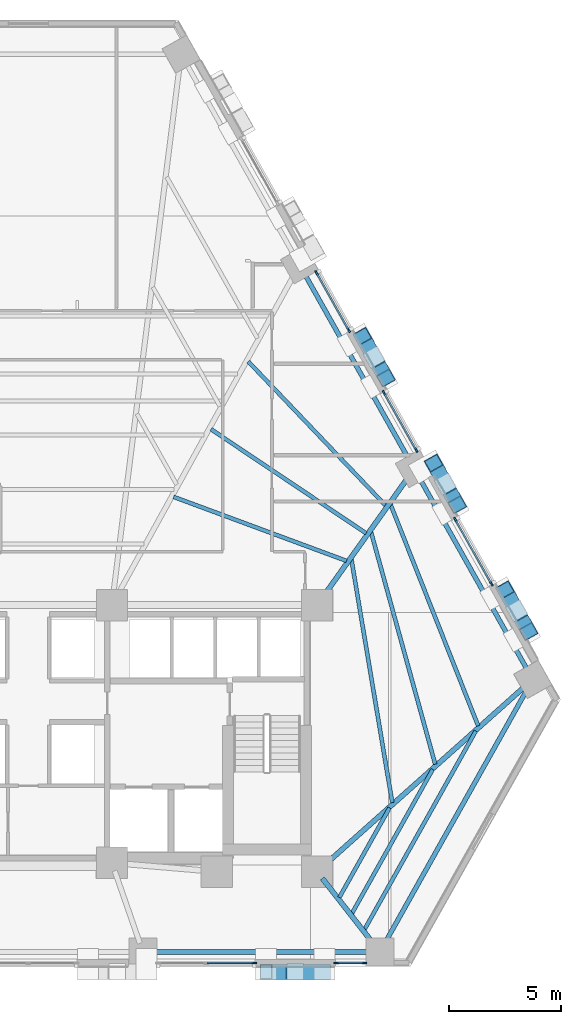
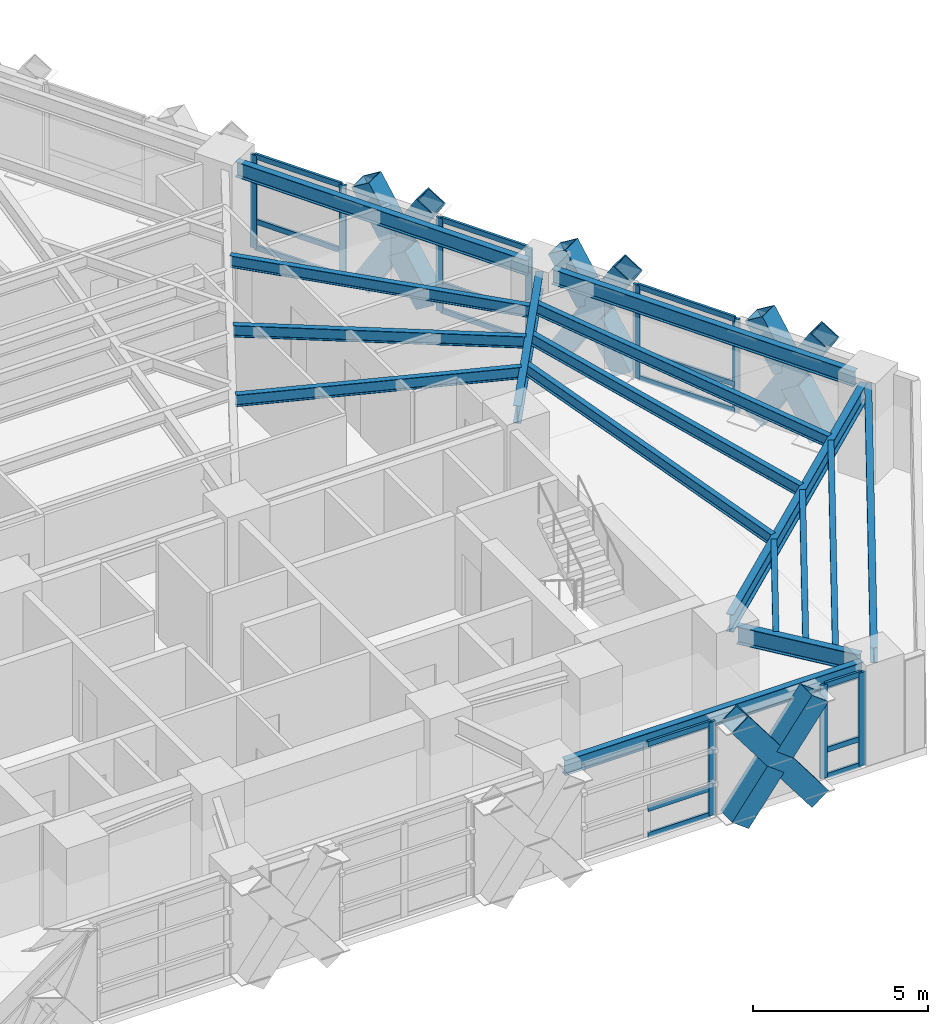
# One storey, part 4 of 13: 36 members, 16 beams, 5 elements without a shape of their own.
"""IFC4 building model written with IfcOpenShell, lengths in metres."""

from ifc_helpers import new_model, si_unit, direction, frame, origin, origin_2d, place, context, subcontext, project, spatial, rectangle, hollow_rectangle, i_section, extrude, material, material_profile, profile_set, type_object, element, aggregate, save


model = new_model("IFC4")

# Units and contexts
model_context = context("Model", 3, precision=1e-05, world=origin(), true_north=direction((0.0, 1.0)))
body_context = subcontext(model_context, "Body", "Model", "MODEL_VIEW")
ifc_project = project(units=[si_unit("LENGTHUNIT", "METRE"), si_unit("AREAUNIT", "SQUARE_METRE"), si_unit("VOLUMEUNIT", "CUBIC_METRE"), si_unit("PLANEANGLEUNIT", "RADIAN"), si_unit("MASSUNIT", "GRAM", prefix="KILO")], contexts=[model_context])

# Site, building, storey
site_placement = place(None, origin())
site = spatial("IfcSite", under=ifc_project, at=site_placement, CompositionType="ELEMENT")
building_placement = place(site_placement, origin())
building = spatial("IfcBuilding", under=site, at=building_placement, Name="Quenlor Broadcast Tower", CompositionType="ELEMENT")
storey_placement = place(building_placement, frame((0.0, 0.0, 31.10009765625)))
storey = spatial("IfcBuildingStorey", under=building, at=storey_placement, Name="L07", CompositionType="ELEMENT", Elevation=31.10009765625)

# Curtain wall, members
ifc_material_1 = material(Name="Architectural Terracotta and Low-E Glazing", Category="masonry")
curtain_wall_type = type_object("IfcCurtainWallType", Name="Unitised Terracotta Curtain Wall System Z1", PredefinedType="NOTDEFINED", material=ifc_material_1)
curtain_wall_1_placement = place(storey_placement, origin())
curtain_wall_1 = element("IfcCurtainWall", 1, at=curtain_wall_1_placement, inside=storey, type_object=curtain_wall_type, Name="L07 Curtain Wall CW1 (L07-SA-G1)", PredefinedType="NOTDEFINED")
ifc_material_2 = material(Name="Aluminium 6063-T6", Category="aluminium")
ifc_material_profile_1 = material_profile(ifc_material_2, rectangle(XDim=0.080078125, YDim=0.219970703125, at=origin_2d()))
ifc_profile_set_1 = profile_set([ifc_material_profile_1], Name="Aluminium 6063-T6 MULL80x220")
member_type_1 = type_object("IfcMemberType", Name="CW1 Aluminium Mullion MULL_CW1", PredefinedType="MULLION", material=ifc_profile_set_1)
member_1_placement = place(storey_placement, frame((15.0751953125, -20.840087890625, 0.0), z_axis=(0.0, 0.0, 1.0), x_axis=(0.0, -1.0, 0.0)))
member_1 = element("IfcMember", 2, at=member_1_placement, type_object=member_type_1, Name="CW1 mullion 1", PredefinedType="MULLION", context=body_context, shape_type="SweptSolid", body=[
    extrude(rectangle(XDim=0.080078125, YDim=0.219970703125, at=origin_2d()), origin(), (0.0, 0.0, 1.0), 3.25),
])
member_2_placement = place(storey_placement, frame((13.806884765625, -20.840087890625, 0.0), z_axis=(0.0, 0.0, 1.0), x_axis=(0.0, -1.0, 0.0)))
member_2 = element("IfcMember", 3, at=member_2_placement, type_object=member_type_1, Name="CW1 mullion 2", PredefinedType="MULLION", context=body_context, shape_type="SweptSolid", body=[
    extrude(rectangle(XDim=0.080078125, YDim=0.219970703125, at=origin_2d()), origin(), (0.0, 0.0, 1.0), 3.25),
])

# Curtain wall, member
curtain_wall_2_placement = place(storey_placement, origin())
curtain_wall_2 = element("IfcCurtainWall", 4, at=curtain_wall_2_placement, inside=storey, type_object=curtain_wall_type, Name="L07 Curtain Wall CW1 (L07-SA-G2)", PredefinedType="NOTDEFINED")
member_3_placement = place(storey_placement, frame((10.134765625, -20.840087890625, 0.0), z_axis=(0.0, 0.0, 1.0), x_axis=(0.0, -1.0, 0.0)))
member_3 = element("IfcMember", 5, at=member_3_placement, type_object=member_type_1, Name="CW1 mullion 1", PredefinedType="MULLION", context=body_context, shape_type="SweptSolid", body=[
    extrude(rectangle(XDim=0.080078125, YDim=0.219970703125, at=origin_2d()), origin(), (0.0, 0.0, 1.0), 3.25),
])

# Curtain wall, members
curtain_wall_3_placement = place(storey_placement, origin())
curtain_wall_3 = element("IfcCurtainWall", 6, at=curtain_wall_3_placement, inside=storey, type_object=curtain_wall_type, Name="L07 Curtain Wall CW1 (L07-NEC-G1)", PredefinedType="NOTDEFINED")
member_4_placement = place(storey_placement, frame((19.146484375, -0.964599609375, 0.0), z_axis=(0.0, 0.0, 1.0), x_axis=(0.871577906875, 0.49025702672, 0.0)))
member_4 = element("IfcMember", 7, at=member_4_placement, type_object=member_type_1, Name="CW1 mullion 1", PredefinedType="MULLION", context=body_context, shape_type="SweptSolid", body=[
    extrude(rectangle(XDim=0.080078125, YDim=0.219970703125, at=origin_2d()), origin(), (0.0, 0.0, 1.0), 3.25),
])
member_5_placement = place(storey_placement, frame((20.764892578125, -3.841552734375, 0.0), z_axis=(0.0, 0.0, 1.0), x_axis=(0.871577906875, 0.49025702672, 0.0)))
member_5 = element("IfcMember", 8, at=member_5_placement, type_object=member_type_1, Name="CW1 mullion 2", PredefinedType="MULLION", context=body_context, shape_type="SweptSolid", body=[
    extrude(rectangle(XDim=0.080078125, YDim=0.219970703125, at=origin_2d()), origin(), (0.0, 0.0, 1.0), 3.25),
])

curtain_wall_4_placement = place(storey_placement, origin())
curtain_wall_4 = element("IfcCurtainWall", 9, at=curtain_wall_4_placement, inside=storey, type_object=curtain_wall_type, Name="L07 Curtain Wall CW1 (L07-NE-G1)", PredefinedType="NOTDEFINED")
member_6_placement = place(storey_placement, frame((12.926025390625, 10.09423828125, 0.0), z_axis=(0.0, 0.0, 1.0), x_axis=(0.871568481465, 0.490273782815, 0.0)))
member_6 = element("IfcMember", 10, at=member_6_placement, type_object=member_type_1, Name="CW1 mullion 1", PredefinedType="MULLION", context=body_context, shape_type="SweptSolid", body=[
    extrude(rectangle(XDim=0.080078125, YDim=0.219970703125, at=origin_2d()), origin(), (0.0, 0.0, 1.0), 3.25),
])
member_7_placement = place(storey_placement, frame((14.371337890625, 7.524658203125, 0.0), z_axis=(0.0, 0.0, 1.0), x_axis=(0.871568481465, 0.490273782815, 0.0)))
member_7 = element("IfcMember", 11, at=member_7_placement, type_object=member_type_1, Name="CW1 mullion 2", PredefinedType="MULLION", context=body_context, shape_type="SweptSolid", body=[
    extrude(rectangle(XDim=0.080078125, YDim=0.219970703125, at=origin_2d()), origin(), (0.0, 0.0, 1.0), 3.25),
])

curtain_wall_5_placement = place(storey_placement, origin())
curtain_wall_5 = element("IfcCurtainWall", 12, at=curtain_wall_5_placement, inside=storey, type_object=curtain_wall_type, Name="L07 Curtain Wall CW1 (L07-NE-G2)", PredefinedType="NOTDEFINED")
member_8_placement = place(storey_placement, frame((15.94970703125, 4.718505859375, 0.0), z_axis=(0.0, 0.0, 1.0), x_axis=(0.871568481465, 0.490273782815, 0.0)))
member_8 = element("IfcMember", 13, at=member_8_placement, type_object=member_type_1, Name="CW1 mullion 1", PredefinedType="MULLION", context=body_context, shape_type="SweptSolid", body=[
    extrude(rectangle(XDim=0.080078125, YDim=0.219970703125, at=origin_2d()), origin(), (0.0, 0.0, 1.0), 3.25),
])
member_9_placement = place(storey_placement, frame((17.39501953125, 2.149169921875, 0.0), z_axis=(0.0, 0.0, 1.0), x_axis=(0.871568481465, 0.490273782815, 0.0)))
member_9 = element("IfcMember", 14, at=member_9_placement, type_object=member_type_1, Name="CW1 mullion 2", PredefinedType="MULLION", context=body_context, shape_type="SweptSolid", body=[
    extrude(rectangle(XDim=0.080078125, YDim=0.219970703125, at=origin_2d()), origin(), (0.0, 0.0, 1.0), 3.25),
])

# Member
ifc_material_3 = material(Name="Aluminium 6063-T6", Category="aluminium")
ifc_material_profile_2 = material_profile(ifc_material_3, rectangle(XDim=0.080078125, YDim=0.179931640625, at=origin_2d()))
ifc_profile_set_2 = profile_set([ifc_material_profile_2], Name="Aluminium 6063-T6 TRAN80x180")
member_type_2 = type_object("IfcMemberType", Name="CW1 Aluminium Transom TRAN_CW1", PredefinedType="USERDEFINED", material=ifc_profile_set_2)
member_10_placement = place(storey_placement, frame((15.03515625, -20.840087890625, 0.039794921875), z_axis=(-1.0, 0.0, 0.0), x_axis=(0.0, -1.0, 0.0)))
member_10 = element("IfcMember", 15, at=member_10_placement, type_object=member_type_2, Name="CW1 transom 1.1", ObjectType="TRANSOM", PredefinedType="USERDEFINED", context=body_context, shape_type="SweptSolid", body=[
    extrude(rectangle(XDim=0.080078125, YDim=0.179931640625, at=origin_2d()), origin(), (0.0, 0.0, 1.0), 1.1884765625),
])

member_11_placement = place(storey_placement, frame((15.03515625, -20.840087890625, 0.949951171875), z_axis=(-1.0, 0.0, 0.0), x_axis=(0.0, -1.0, 0.0)))
member_11 = element("IfcMember", 16, at=member_11_placement, type_object=member_type_2, Name="CW1 transom 1.2", ObjectType="TRANSOM", PredefinedType="USERDEFINED", context=body_context, shape_type="SweptSolid", body=[
    extrude(rectangle(XDim=0.080078125, YDim=0.179931640625, at=origin_2d()), origin(), (0.0, 0.0, 1.0), 1.1884765625),
])

member_12_placement = place(storey_placement, frame((15.03515625, -20.840087890625, 3.2099609375), z_axis=(-1.0, 0.0, 0.0), x_axis=(0.0, -1.0, 0.0)))
member_12 = element("IfcMember", 17, at=member_12_placement, type_object=member_type_2, Name="CW1 transom 1.3", ObjectType="TRANSOM", PredefinedType="USERDEFINED", context=body_context, shape_type="SweptSolid", body=[
    extrude(rectangle(XDim=0.080078125, YDim=0.179931640625, at=origin_2d()), origin(), (0.0, 0.0, 1.0), 1.1884765625),
])

aggregate(curtain_wall_1, [member_1, member_2, member_10, member_11, member_12])

member_13_placement = place(storey_placement, frame((10.0947265625, -20.840087890625, 0.039794921875), z_axis=(-1.0, 0.0, 0.0), x_axis=(0.0, -1.0, 0.0)))
member_13 = element("IfcMember", 18, at=member_13_placement, type_object=member_type_2, Name="CW1 transom 1.1", ObjectType="TRANSOM", PredefinedType="USERDEFINED", context=body_context, shape_type="SweptSolid", body=[
    extrude(rectangle(XDim=0.080078125, YDim=0.179931640625, at=origin_2d()), origin(), (0.0, 0.0, 1.0), 2.072021484375),
])

member_14_placement = place(storey_placement, frame((10.0947265625, -20.840087890625, 0.949951171875), z_axis=(-1.0, 0.0, 0.0), x_axis=(0.0, -1.0, 0.0)))
member_14 = element("IfcMember", 19, at=member_14_placement, type_object=member_type_2, Name="CW1 transom 1.2", ObjectType="TRANSOM", PredefinedType="USERDEFINED", context=body_context, shape_type="SweptSolid", body=[
    extrude(rectangle(XDim=0.080078125, YDim=0.179931640625, at=origin_2d()), origin(), (0.0, 0.0, 1.0), 2.072021484375),
])

member_15_placement = place(storey_placement, frame((10.0947265625, -20.840087890625, 3.2099609375), z_axis=(-1.0, 0.0, 0.0), x_axis=(0.0, -1.0, 0.0)))
member_15 = element("IfcMember", 20, at=member_15_placement, type_object=member_type_2, Name="CW1 transom 1.3", ObjectType="TRANSOM", PredefinedType="USERDEFINED", context=body_context, shape_type="SweptSolid", body=[
    extrude(rectangle(XDim=0.080078125, YDim=0.179931640625, at=origin_2d()), origin(), (0.0, 0.0, 1.0), 2.072021484375),
])

aggregate(curtain_wall_2, [member_3, member_13, member_14, member_15])

member_16_placement = place(storey_placement, frame((19.166015625, -0.99951171875, 0.039794921875), z_axis=(0.490250443683, -0.871581609758, 0.0), x_axis=(0.871581609758, 0.490250443683, 0.0)))
member_16 = element("IfcMember", 21, at=member_16_placement, type_object=member_type_2, Name="CW1 transom 1.1", ObjectType="TRANSOM", PredefinedType="USERDEFINED", context=body_context, shape_type="SweptSolid", body=[
    extrude(rectangle(XDim=0.080078125, YDim=0.179931640625, at=origin_2d()), origin(), (0.0, 0.0, 1.0), 3.220947265625),
])

member_17_placement = place(storey_placement, frame((19.166015625, -0.99951171875, 0.949951171875), z_axis=(0.490250443683, -0.871581609758, 0.0), x_axis=(0.871581609758, 0.490250443683, 0.0)))
member_17 = element("IfcMember", 22, at=member_17_placement, type_object=member_type_2, Name="CW1 transom 1.2", ObjectType="TRANSOM", PredefinedType="USERDEFINED", context=body_context, shape_type="SweptSolid", body=[
    extrude(rectangle(XDim=0.080078125, YDim=0.179931640625, at=origin_2d()), origin(), (0.0, 0.0, 1.0), 3.220947265625),
])

member_18_placement = place(storey_placement, frame((19.166015625, -0.99951171875, 3.2099609375), z_axis=(0.490250443683, -0.871581609758, 0.0), x_axis=(0.871581609758, 0.490250443683, 0.0)))
member_18 = element("IfcMember", 23, at=member_18_placement, type_object=member_type_2, Name="CW1 transom 1.3", ObjectType="TRANSOM", PredefinedType="USERDEFINED", context=body_context, shape_type="SweptSolid", body=[
    extrude(rectangle(XDim=0.080078125, YDim=0.179931640625, at=origin_2d()), origin(), (0.0, 0.0, 1.0), 3.220947265625),
])

aggregate(curtain_wall_3, [member_4, member_5, member_16, member_17, member_18])

member_19_placement = place(storey_placement, frame((12.945556640625, 10.059326171875, 0.039794921875), z_axis=(0.490232948684, -0.871591450179, 0.0), x_axis=(0.871591450179, 0.490232948684, 0.0)))
member_19 = element("IfcMember", 24, at=member_19_placement, type_object=member_type_2, Name="CW1 transom 1.1", ObjectType="TRANSOM", PredefinedType="USERDEFINED", context=body_context, shape_type="SweptSolid", body=[
    extrude(rectangle(XDim=0.080078125, YDim=0.179931640625, at=origin_2d()), origin(), (0.0, 0.0, 1.0), 2.867919921875),
])

member_20_placement = place(storey_placement, frame((12.945556640625, 10.059326171875, 0.949951171875), z_axis=(0.490232948684, -0.871591450179, 0.0), x_axis=(0.871591450179, 0.490232948684, 0.0)))
member_20 = element("IfcMember", 25, at=member_20_placement, type_object=member_type_2, Name="CW1 transom 1.2", ObjectType="TRANSOM", PredefinedType="USERDEFINED", context=body_context, shape_type="SweptSolid", body=[
    extrude(rectangle(XDim=0.080078125, YDim=0.179931640625, at=origin_2d()), origin(), (0.0, 0.0, 1.0), 2.867919921875),
])

member_21_placement = place(storey_placement, frame((12.945556640625, 10.059326171875, 3.2099609375), z_axis=(0.490232948684, -0.871591450179, 0.0), x_axis=(0.871591450179, 0.490232948684, 0.0)))
member_21 = element("IfcMember", 26, at=member_21_placement, type_object=member_type_2, Name="CW1 transom 1.3", ObjectType="TRANSOM", PredefinedType="USERDEFINED", context=body_context, shape_type="SweptSolid", body=[
    extrude(rectangle(XDim=0.080078125, YDim=0.179931640625, at=origin_2d()), origin(), (0.0, 0.0, 1.0), 2.867919921875),
])

aggregate(curtain_wall_4, [member_6, member_7, member_19, member_20, member_21])

member_22_placement = place(storey_placement, frame((15.96923828125, 4.68359375, 0.039794921875), z_axis=(0.490297611432, -0.871555076988, 0.0), x_axis=(0.871555076988, 0.490297611432, 0.0)))
member_22 = element("IfcMember", 27, at=member_22_placement, type_object=member_type_2, Name="CW1 transom 1.1", ObjectType="TRANSOM", PredefinedType="USERDEFINED", context=body_context, shape_type="SweptSolid", body=[
    extrude(rectangle(XDim=0.080078125, YDim=0.179931640625, at=origin_2d()), origin(), (0.0, 0.0, 1.0), 2.8681640625),
])

member_23_placement = place(storey_placement, frame((15.96923828125, 4.68359375, 0.949951171875), z_axis=(0.490297611432, -0.871555076988, 0.0), x_axis=(0.871555076988, 0.490297611432, 0.0)))
member_23 = element("IfcMember", 28, at=member_23_placement, type_object=member_type_2, Name="CW1 transom 1.2", ObjectType="TRANSOM", PredefinedType="USERDEFINED", context=body_context, shape_type="SweptSolid", body=[
    extrude(rectangle(XDim=0.080078125, YDim=0.179931640625, at=origin_2d()), origin(), (0.0, 0.0, 1.0), 2.8681640625),
])

member_24_placement = place(storey_placement, frame((15.96923828125, 4.68359375, 3.2099609375), z_axis=(0.490297611432, -0.871555076988, 0.0), x_axis=(0.871555076988, 0.490297611432, 0.0)))
member_24 = element("IfcMember", 29, at=member_24_placement, type_object=member_type_2, Name="CW1 transom 1.3", ObjectType="TRANSOM", PredefinedType="USERDEFINED", context=body_context, shape_type="SweptSolid", body=[
    extrude(rectangle(XDim=0.080078125, YDim=0.179931640625, at=origin_2d()), origin(), (0.0, 0.0, 1.0), 2.8681640625),
])

aggregate(curtain_wall_5, [member_8, member_9, member_22, member_23, member_24])

# Members
ifc_material_4 = material(Name="Steel S355", Category="steel")
ifc_material_profile_3 = material_profile(ifc_material_4, hollow_rectangle(XDim=0.679931640625, YDim=0.679931640625, WallThickness=0.034912109375, at=origin_2d()))
ifc_profile_set_3 = profile_set([ifc_material_profile_3], Name="Steel S355 RHS680x680x35")
member_type_3 = type_object("IfcMemberType", Name="Perimeter Diagonal Lattice Brace Z1 Steel S355 RHS680x35", PredefinedType="BRACE", material=ifc_profile_set_3)
member_25_placement = place(storey_placement, frame((13.284912109375, -21.235107421875, -0.1201171875), z_axis=(-0.60049964856, 0.0, 0.799625019668), x_axis=(0.0, -1.0, 0.0)))
element("IfcMember", 30, at=member_25_placement, inside=storey, type_object=member_type_3, Name="L07 Perimeter Diamond Lattice S-C1XA", PredefinedType="BRACE", context=body_context, shape_type="SweptSolid", body=[
    extrude(hollow_rectangle(XDim=0.679931640625, YDim=0.679931640625, WallThickness=0.034912109375, at=origin_2d()), origin(), (0.0, 0.0, 1.0), 4.376953125),
])
for number, where, z_axis, x_axis, name in (
    (31, (10.656494140625, -21.235107421875, -0.1201171875), (0.600503659272, 0.0, 0.799622007701), (0.0, 1.0, 0.0), "L07 Perimeter Diamond Lattice S-C1XB1"),
    (32, (12.120849609375, -21.235107421875, 1.829833984375), (0.600503659272, 0.0, 0.799622007701), (0.0, 1.0, 0.0), "L07 Perimeter Diamond Lattice S-C1XB2"),
):
    element("IfcMember", number, at=place(storey_placement, frame(where, z_axis=z_axis, x_axis=x_axis)), inside=storey, type_object=member_type_3, Name=name, PredefinedType="BRACE", context=body_context, shape_type="SweptSolid", body=[
        extrude(hollow_rectangle(XDim=0.679931640625, YDim=0.679931640625, WallThickness=0.034912109375, at=origin_2d()), origin(), (0.0, 0.0, 1.0), 1.9384765625),
    ])
member_26_placement = place(storey_placement, frame((14.978515625, 7.251220703125, -0.1201171875), z_axis=(0.256368393635, -0.455838699906, 0.852341672343), x_axis=(0.871608931644, 0.490201866865, 0.0)))
element("IfcMember", 33, at=member_26_placement, inside=storey, type_object=member_type_3, Name="L07 Perimeter Diamond Lattice NE-C3XA", PredefinedType="BRACE", context=body_context, shape_type="SweptSolid", body=[
    extrude(hollow_rectangle(XDim=0.679931640625, YDim=0.679931640625, WallThickness=0.034912109375, at=origin_2d()), origin(), (0.0, 0.0, 1.0), 4.1064453125),
])
for number, where, z_axis, x_axis, name in (
    (34, (16.03125, 5.37939453125, -0.1201171875), (-0.256435894674, 0.455870991217, 0.852304095549), (-0.871568623966, -0.49027352949, 0.0), "L07 Perimeter Diamond Lattice NE-C3XB1"),
    (35, (15.440673828125, 6.42919921875, 1.843017578125), (-0.256309397679, 0.455886815629, 0.852333681135), (-0.871679226863, -0.490076856683, 0.0), "L07 Perimeter Diamond Lattice NE-C3XB2"),
):
    element("IfcMember", number, at=place(storey_placement, frame(where, z_axis=z_axis, x_axis=x_axis)), inside=storey, type_object=member_type_3, Name=name, PredefinedType="BRACE", context=body_context, shape_type="SweptSolid", body=[
        extrude(hollow_rectangle(XDim=0.679931640625, YDim=0.679931640625, WallThickness=0.034912109375, at=origin_2d()), origin(), (0.0, 0.0, 1.0), 1.80322265625),
    ])
member_27_placement = place(storey_placement, frame((18.175048828125, 1.56787109375, -0.1201171875), z_axis=(0.256430888508, -0.455784649039, 0.8523517778), x_axis=(0.871533027316, 0.490336804959, 0.0)))
element("IfcMember", 36, at=member_27_placement, inside=storey, type_object=member_type_3, Name="L07 Perimeter Diamond Lattice NE-C4XA", PredefinedType="BRACE", context=body_context, shape_type="SweptSolid", body=[
    extrude(hollow_rectangle(XDim=0.679931640625, YDim=0.679931640625, WallThickness=0.034912109375, at=origin_2d()), origin(), (0.0, 0.0, 1.0), 4.106201171875),
])
member_28_placement = place(storey_placement, frame((19.22802734375, -0.3037109375, -0.1201171875), z_axis=(-0.256435894674, 0.455870991217, 0.852304095549), x_axis=(-0.871568623966, -0.49027352949, 0.0)))
element("IfcMember", 37, at=member_28_placement, inside=storey, type_object=member_type_3, Name="L07 Perimeter Diamond Lattice NE-C4XB1", PredefinedType="BRACE", context=body_context, shape_type="SweptSolid", body=[
    extrude(hollow_rectangle(XDim=0.679931640625, YDim=0.679931640625, WallThickness=0.034912109375, at=origin_2d()), origin(), (0.0, 0.0, 1.0), 1.80322265625),
])
member_29_placement = place(storey_placement, frame((18.637451171875, 0.74609375, 1.843017578125), z_axis=(-0.256451721554, 0.455763724789, 0.852356698618), x_axis=(-0.871506382136, -0.490384161547, 0.0)))
element("IfcMember", 38, at=member_29_placement, inside=storey, type_object=member_type_3, Name="L07 Perimeter Diamond Lattice NE-C4XB2", PredefinedType="BRACE", context=body_context, shape_type="SweptSolid", body=[
    extrude(hollow_rectangle(XDim=0.679931640625, YDim=0.679931640625, WallThickness=0.034912109375, at=origin_2d()), origin(), (0.0, 0.0, 1.0), 1.802978515625),
])
member_30_placement = place(storey_placement, frame((21.371826171875, -4.115234375, -0.1201171875), z_axis=(0.256430888508, -0.455784649039, 0.8523517778), x_axis=(0.871533027316, 0.490336804959, 0.0)))
element("IfcMember", 39, at=member_30_placement, inside=storey, type_object=member_type_3, Name="L07 Perimeter Diamond Lattice NE-C5XA", PredefinedType="BRACE", context=body_context, shape_type="SweptSolid", body=[
    extrude(hollow_rectangle(XDim=0.679931640625, YDim=0.679931640625, WallThickness=0.034912109375, at=origin_2d()), origin(), (0.0, 0.0, 1.0), 4.106201171875),
])
for number, where, z_axis, x_axis, name in (
    (40, (22.4248046875, -5.98681640625, -0.1201171875), (-0.256451721554, 0.455763724789, 0.852356698618), (-0.871506382136, -0.490384161547, 0.0), "L07 Perimeter Diamond Lattice NE-C5XB1"),
    (41, (21.834228515625, -4.93701171875, 1.843017578125), (-0.256451721554, 0.455763724789, 0.852356698618), (-0.871506382136, -0.490384161547, 0.0), "L07 Perimeter Diamond Lattice NE-C5XB2"),
):
    element("IfcMember", number, at=place(storey_placement, frame(where, z_axis=z_axis, x_axis=x_axis)), inside=storey, type_object=member_type_3, Name=name, PredefinedType="BRACE", context=body_context, shape_type="SweptSolid", body=[
        extrude(hollow_rectangle(XDim=0.679931640625, YDim=0.679931640625, WallThickness=0.034912109375, at=origin_2d()), origin(), (0.0, 0.0, 1.0), 1.802978515625),
    ])

# Beams
ifc_material_5 = material(Name="Steel S355", Category="steel")
ifc_material_profile_4 = material_profile(ifc_material_5, i_section(OverallWidth=0.208984375, OverallDepth=0.532958984375, WebThickness=0.01025390625, FlangeThickness=0.015625, FilletRadius=0.013916015625, at=origin_2d()))
ifc_profile_set_4 = profile_set([ifc_material_profile_4], Name="Steel S355 530UB92.4")
beam_type_1 = type_object("IfcBeamType", Name="Perimeter Spandrel Beam Z1 Steel S355 530UB92.4", PredefinedType="SPANDREL", material=ifc_profile_set_4)
beam_1_placement = place(storey_placement, frame((5.55078125, -20.35009765625, 2.9833984375), z_axis=(1.0, 0.0, 0.0), x_axis=(0.0, 1.0, 0.0)))
element("IfcBeam", 42, at=beam_1_placement, inside=storey, type_object=beam_type_1, Name="L07 Spandrel Beam S3-S4", PredefinedType="SPANDREL", context=body_context, shape_type="SweptSolid", body=[
    extrude(i_section(OverallWidth=0.208984375, OverallDepth=0.532958984375, WebThickness=0.01025390625, FlangeThickness=0.015625, FilletRadius=0.013916015625, at=origin_2d()), origin(), (0.0, 0.0, 1.0), 9.80419921875),
])
beam_2_placement = place(storey_placement, frame((15.965576171875, -19.992431640625, 2.9833984375), z_axis=(0.489090917871, 0.87223280955, 0.0), x_axis=(-0.87223280955, 0.489090917871, 0.0)))
element("IfcBeam", 43, at=beam_2_placement, inside=storey, type_object=beam_type_1, Name="L07 Spandrel Beam S4-NE1", PredefinedType="SPANDREL", context=body_context, shape_type="SweptSolid", body=[
    extrude(i_section(OverallWidth=0.208984375, OverallDepth=0.532958984375, WebThickness=0.01025390625, FlangeThickness=0.015625, FilletRadius=0.013916015625, at=origin_2d()), origin(), (0.0, 0.0, 1.0), 13.187744140625),
])
beam_3_placement = place(storey_placement, frame((22.4150390625, -7.77490234375, 2.9833984375), z_axis=(-0.490257767622, 0.871577490121, 0.0), x_axis=(-0.871577490121, -0.490257767622, 0.0)))
element("IfcBeam", 44, at=beam_3_placement, inside=storey, type_object=beam_type_1, Name="L07 Spandrel Beam NE1-NE2", PredefinedType="SPANDREL", context=body_context, shape_type="SweptSolid", body=[
    extrude(i_section(OverallWidth=0.208984375, OverallDepth=0.532958984375, WebThickness=0.01025390625, FlangeThickness=0.015625, FilletRadius=0.013916015625, at=origin_2d()), origin(), (0.0, 0.0, 1.0), 10.015380859375),
])
beam_4_placement = place(storey_placement, frame((17.102783203125, 1.6689453125, 2.9833984375), z_axis=(-0.490257642051, 0.871577560755, 0.0), x_axis=(-0.871577560755, -0.490257642051, 0.0)))
element("IfcBeam", 45, at=beam_4_placement, inside=storey, type_object=beam_type_1, Name="L07 Spandrel Beam NE2-NE3", PredefinedType="SPANDREL", context=body_context, shape_type="SweptSolid", body=[
    extrude(i_section(OverallWidth=0.208984375, OverallDepth=0.532958984375, WebThickness=0.01025390625, FlangeThickness=0.015625, FilletRadius=0.013916015625, at=origin_2d()), origin(), (0.0, 0.0, 1.0), 9.665771484375),
])
ifc_material_6 = material(Name="Steel S355", Category="steel")
ifc_material_profile_5 = material_profile(ifc_material_6, i_section(OverallWidth=0.177978515625, OverallDepth=0.406494140625, WebThickness=0.0078125, FlangeThickness=0.0126953125, FilletRadius=0.011474609375, at=origin_2d()))
ifc_profile_set_5 = profile_set([ifc_material_profile_5], Name="Steel S355 410UB59.7")
beam_type_2 = type_object("IfcBeamType", Name="Tower Composite Joist Z1 Steel S355 410UB59.7", PredefinedType="JOIST", material=ifc_profile_set_5)
beam_5_placement = place(storey_placement, frame((14.268310546875, -2.81640625, 3.046630859375), z_axis=(-0.937824633945, 0.347109429383, 0.0), x_axis=(-0.347109429383, -0.937824633945, 0.0)))
element("IfcBeam", 46, at=beam_5_placement, inside=storey, type_object=beam_type_2, Name="L07 Secondary Composite Joist 10", PredefinedType="JOIST", context=body_context, shape_type="SweptSolid", body=[
    extrude(i_section(OverallWidth=0.177978515625, OverallDepth=0.406494140625, WebThickness=0.0078125, FlangeThickness=0.0126953125, FilletRadius=0.011474609375, at=origin_2d()), origin(), (0.0, 0.0, 1.0), 8.26513671875),
])
beam_6_placement = place(storey_placement, frame((15.147705078125, -1.577392578125, 3.046630859375), z_axis=(-0.830625844363, 0.556830949819, 0.0), x_axis=(-0.556830949819, -0.830625844363, 0.0)))
element("IfcBeam", 47, at=beam_6_placement, inside=storey, type_object=beam_type_2, Name="L07 Secondary Composite Joist 11", PredefinedType="JOIST", context=body_context, shape_type="SweptSolid", body=[
    extrude(i_section(OverallWidth=0.177978515625, OverallDepth=0.406494140625, WebThickness=0.0078125, FlangeThickness=0.0126953125, FilletRadius=0.011474609375, at=origin_2d()), origin(), (0.0, 0.0, 1.0), 8.374755859375),
])
beam_7_placement = place(storey_placement, frame((16.029541015625, -0.341796875, 3.046630859375), z_axis=(-0.690241086162, 0.723579465556, 0.0), x_axis=(-0.723579465556, -0.690241086162, 0.0)))
element("IfcBeam", 48, at=beam_7_placement, inside=storey, type_object=beam_type_2, Name="L07 Secondary Composite Joist 12", PredefinedType="JOIST", context=body_context, shape_type="SweptSolid", body=[
    extrude(i_section(OverallWidth=0.177978515625, OverallDepth=0.406494140625, WebThickness=0.0078125, FlangeThickness=0.0126953125, FilletRadius=0.011474609375, at=origin_2d()), origin(), (0.0, 0.0, 1.0), 8.93408203125),
])
beam_8_placement = place(storey_placement, frame((16.31982421875, -13.65478515625, 3.046630859375), z_axis=(-0.16559360599, 0.986194077074, 0.0), x_axis=(-0.986194077074, -0.16559360599, 0.0)))
element("IfcBeam", 49, at=beam_8_placement, inside=storey, type_object=beam_type_2, Name="L07 Secondary Composite Joist 16", PredefinedType="JOIST", context=body_context, shape_type="SweptSolid", body=[
    extrude(i_section(OverallWidth=0.177978515625, OverallDepth=0.406494140625, WebThickness=0.0078125, FlangeThickness=0.0126953125, FilletRadius=0.011474609375, at=origin_2d()), origin(), (0.0, 0.0, 1.0), 11.06787109375),
])
beam_9_placement = place(storey_placement, frame((18.2451171875, -11.93310546875, 3.046630859375), z_axis=(-0.266390054368, 0.963865311615, 0.0), x_axis=(-0.963865311615, -0.266390054368, 0.0)))
element("IfcBeam", 50, at=beam_9_placement, inside=storey, type_object=beam_type_2, Name="L07 Secondary Composite Joist 17", PredefinedType="JOIST", context=body_context, shape_type="SweptSolid", body=[
    extrude(i_section(OverallWidth=0.177978515625, OverallDepth=0.406494140625, WebThickness=0.0078125, FlangeThickness=0.0126953125, FilletRadius=0.011474609375, at=origin_2d()), origin(), (0.0, 0.0, 1.0), 10.80810546875),
])
beam_10_placement = place(storey_placement, frame((20.170166015625, -10.212158203125, 3.046630859375), z_axis=(-0.367884833597, 0.929871361646, 0.0), x_axis=(-0.929871361646, -0.367884833597, 0.0)))
element("IfcBeam", 51, at=beam_10_placement, inside=storey, type_object=beam_type_2, Name="L07 Secondary Composite Joist 18", PredefinedType="JOIST", context=body_context, shape_type="SweptSolid", body=[
    extrude(i_section(OverallWidth=0.177978515625, OverallDepth=0.406494140625, WebThickness=0.0078125, FlangeThickness=0.0126953125, FilletRadius=0.011474609375, at=origin_2d()), origin(), (0.0, 0.0, 1.0), 10.669921875),
])
beam_11_placement = place(storey_placement, frame((13.9462890625, -17.904296875, 3.046630859375), z_axis=(0.489062021968, 0.872249011848, 0.0), x_axis=(-0.872249011848, 0.489062021968, 0.0)))
element("IfcBeam", 52, at=beam_11_placement, inside=storey, type_object=beam_type_2, Name="L07 Secondary Composite Joist 22", PredefinedType="JOIST", context=body_context, shape_type="SweptSolid", body=[
    extrude(i_section(OverallWidth=0.177978515625, OverallDepth=0.406494140625, WebThickness=0.0078125, FlangeThickness=0.0126953125, FilletRadius=0.011474609375, at=origin_2d()), origin(), (0.0, 0.0, 1.0), 4.6025390625),
])
beam_12_placement = place(storey_placement, frame((14.50927734375, -18.624267578125, 3.046630859375), z_axis=(0.489088249322, 0.872234305892, 0.0), x_axis=(-0.872234305892, 0.489088249322, 0.0)))
element("IfcBeam", 53, at=beam_12_placement, inside=storey, type_object=beam_type_2, Name="L07 Secondary Composite Joist 23", PredefinedType="JOIST", context=body_context, shape_type="SweptSolid", body=[
    extrude(i_section(OverallWidth=0.177978515625, OverallDepth=0.406494140625, WebThickness=0.0078125, FlangeThickness=0.0126953125, FilletRadius=0.011474609375, at=origin_2d()), origin(), (0.0, 0.0, 1.0), 7.404296875),
])
beam_13_placement = place(storey_placement, frame((15.072265625, -19.34423828125, 3.046630859375), z_axis=(0.489081877778, 0.872237878579, 0.0), x_axis=(-0.872237878579, 0.489081877778, 0.0)))
element("IfcBeam", 54, at=beam_13_placement, inside=storey, type_object=beam_type_2, Name="L07 Secondary Composite Joist 24", PredefinedType="JOIST", context=body_context, shape_type="SweptSolid", body=[
    extrude(i_section(OverallWidth=0.177978515625, OverallDepth=0.406494140625, WebThickness=0.0078125, FlangeThickness=0.0126953125, FilletRadius=0.011474609375, at=origin_2d()), origin(), (0.0, 0.0, 1.0), 10.205810546875),
])
ifc_material_7 = material(Name="Steel S355", Category="steel")
ifc_material_profile_6 = material_profile(ifc_material_7, i_section(OverallWidth=0.22900390625, OverallDepth=0.611572265625, WebThickness=0.011962890625, FlangeThickness=0.01953125, FilletRadius=0.013916015625, at=origin_2d()))
ifc_profile_set_6 = profile_set([ifc_material_profile_6], Name="Steel S355 610UB125")
beam_type_3 = type_object("IfcBeamType", Name="Tower Primary Floor Beam Z1 Steel S355 610UB125", PredefinedType="BEAM", material=ifc_profile_set_6)
beam_14_placement = place(storey_placement, frame((15.512451171875, -20.027099609375, 2.944091796875), z_axis=(-0.615968610193, 0.78777069713, 0.0), x_axis=(-0.78777069713, -0.615968610193, 0.0)))
element("IfcBeam", 55, at=beam_14_placement, inside=storey, type_object=beam_type_3, Name="L07 Primary Radial Beam S4", PredefinedType="BEAM", context=body_context, shape_type="SweptSolid", body=[
    extrude(i_section(OverallWidth=0.22900390625, OverallDepth=0.611572265625, WebThickness=0.011962890625, FlangeThickness=0.01953125, FilletRadius=0.013916015625, at=origin_2d()), origin(), (0.0, 0.0, 1.0), 3.780029296875),
])
beam_15_placement = place(storey_placement, frame((22.31005859375, -8.40478515625, 2.944091796875), z_axis=(-0.746413754585, -0.665482161268, 0.0), x_axis=(0.665482161268, -0.746413754585, 0.0)))
element("IfcBeam", 56, at=beam_15_placement, inside=storey, type_object=beam_type_3, Name="L07 Primary Radial Beam NE1", PredefinedType="BEAM", context=body_context, shape_type="SweptSolid", body=[
    extrude(i_section(OverallWidth=0.22900390625, OverallDepth=0.611572265625, WebThickness=0.011962890625, FlangeThickness=0.01953125, FilletRadius=0.013916015625, at=origin_2d()), origin(), (0.0, 0.0, 1.0), 12.159912109375),
])
beam_16_placement = place(storey_placement, frame((17.06591796875, 0.977783203125, 2.944091796875), z_axis=(-0.580212680853, -0.814465005373, 0.0), x_axis=(0.814465005373, -0.580212680853, 0.0)))
element("IfcBeam", 57, at=beam_16_placement, inside=storey, type_object=beam_type_3, Name="L07 Primary Radial Beam NE2", PredefinedType="BEAM", context=body_context, shape_type="SweptSolid", body=[
    extrude(i_section(OverallWidth=0.22900390625, OverallDepth=0.611572265625, WebThickness=0.011962890625, FlangeThickness=0.01953125, FilletRadius=0.013916015625, at=origin_2d()), origin(), (0.0, 0.0, 1.0), 6.7138671875),
])

save(model, "model.ifc")
